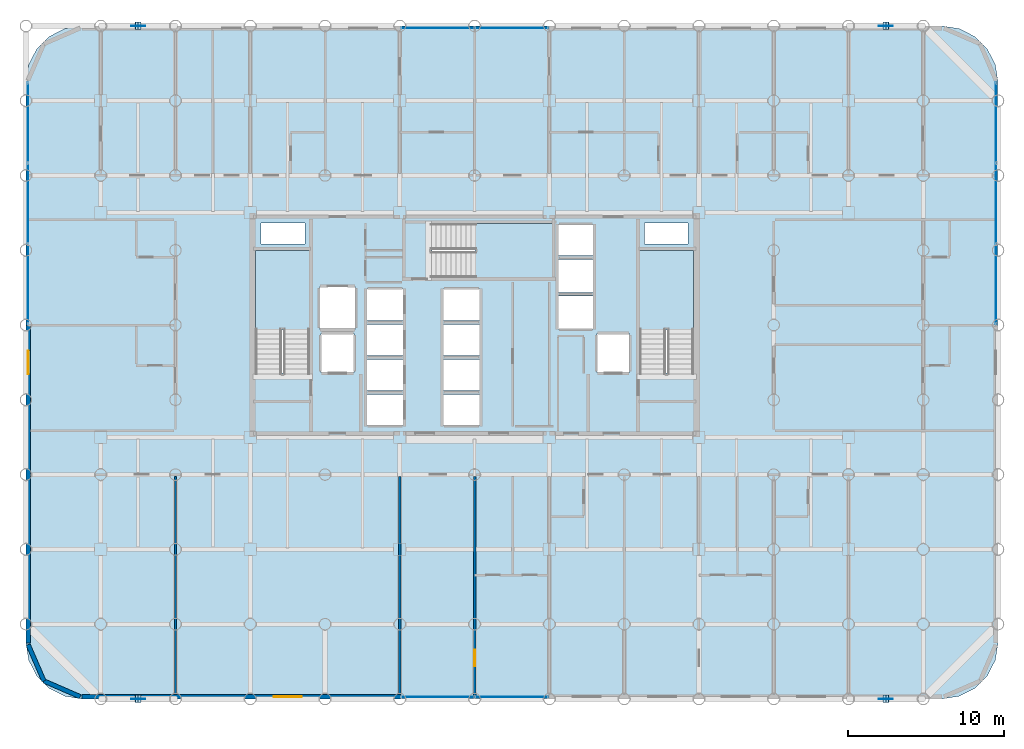
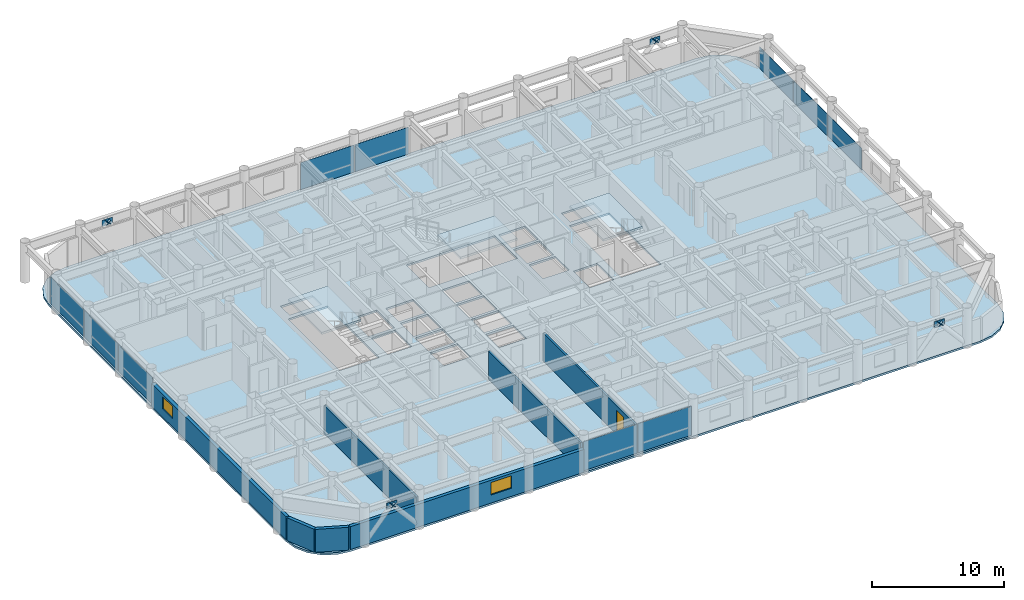
# One storey, part 14 of 20: 22 plates, 7 walls, 4 slabs, 2 windows, 1 door, 3 openings, 7 elements without a shape of their own.
"""IFC4 building model written with IfcOpenShell, lengths in metres."""

from ifc_helpers import new_model, si_unit, direction, frame, frame_2d, origin, origin_2d, place, context, subcontext, project, spatial, polyline, rectangle, outline, extrude, material, layer, layer_set, type_object, element, fill, aggregate, save


model = new_model("IFC4")

# Units and contexts
model_context = context("Model", 3, precision=1e-05, world=origin(), true_north=direction((0.0, 1.0)))
body_context = subcontext(model_context, "Body", "Model", "MODEL_VIEW")
ifc_project = project(units=[si_unit("LENGTHUNIT", "METRE"), si_unit("AREAUNIT", "SQUARE_METRE"), si_unit("VOLUMEUNIT", "CUBIC_METRE"), si_unit("PLANEANGLEUNIT", "RADIAN"), si_unit("MASSUNIT", "GRAM", prefix="KILO")], contexts=[model_context])

# Site, building, storey
site_placement = place(None, origin())
site = spatial("IfcSite", under=ifc_project, at=site_placement, CompositionType="ELEMENT")
building_placement = place(site_placement, origin())
building = spatial("IfcBuilding", under=site, at=building_placement, Name="Kallvorn Hotel Tower", CompositionType="ELEMENT")
storey_placement = place(building_placement, frame((0.0, 0.0, 70.699951171875)))
storey = spatial("IfcBuildingStorey", under=building, at=storey_placement, Name="L16", CompositionType="ELEMENT", Elevation=70.699951171875)

# Curtain wall, plates
ifc_material_1 = material(Name="Thermally broken black-anodised aluminium AA 6063-T6", Category="aluminium")
ifc_layer_1 = layer(ifc_material_1, 0.199951171875)
ifc_layer_set_1 = layer_set([ifc_layer_1], Name="CW_SYS_3_HOTEL_LOW")
curtain_wall_type = type_object("IfcCurtainWallType", Name="CW_SYS_3_HOTEL_LOW", PredefinedType="USERDEFINED", material=ifc_layer_set_1)
curtain_wall_1_placement = place(storey_placement, origin())
curtain_wall_1 = element("IfcCurtainWall", 1, at=curtain_wall_1_placement, inside=storey, type_object=curtain_wall_type, Name="L16 Dark-Glass Curtain Wall CW-L16-SC", ObjectType="UNITISED CURTAIN WALL", PredefinedType="USERDEFINED")
ifc_material_2 = material(Name="Double-glazed low-e solar-control dark glass", Category="glass")
ifc_layer_2 = layer(ifc_material_2, 0.035888671875)
ifc_layer_set_2 = layer_set([ifc_layer_2], Name="CW_SYS_3_HOTEL_LOW_PANEL")
plate_type_1 = type_object("IfcPlateType", Name="CW_SYS_3_HOTEL_LOW_PANEL", PredefinedType="CURTAIN_PANEL", material=ifc_layer_set_2)
plate_1_placement = place(storey_placement, frame((-2.375, -23.8798828125, 0.06005859375), z_axis=(0.0, 0.0, 1.0), x_axis=(1.0, 0.0, 0.0)))
plate_1 = element("IfcPlate", 2, at=plate_1_placement, type_object=plate_type_1, Name="CW-L16-SC Vision Glass Panel 00", PredefinedType="CURTAIN_PANEL", context=body_context, shape_type="SweptSolid", body=[
    extrude(rectangle(XDim=4.68994140625, YDim=0.035888671875, at=origin_2d()), origin(), (0.0, 0.0, 1.0), 2.699951171875),
])
plate_2_placement = place(storey_placement, frame((2.375, -23.8798828125, 0.06005859375), z_axis=(0.0, 0.0, 1.0), x_axis=(1.0, 0.0, 0.0)))
plate_2 = element("IfcPlate", 3, at=plate_2_placement, type_object=plate_type_1, Name="CW-L16-SC Vision Glass Panel 01", PredefinedType="CURTAIN_PANEL", context=body_context, shape_type="SweptSolid", body=[
    extrude(rectangle(XDim=4.68994140625, YDim=0.035888671875, at=origin_2d()), origin(), (0.0, 0.0, 1.0), 2.699951171875),
])
aggregate(curtain_wall_1, [plate_1, plate_2])

curtain_wall_2_placement = place(storey_placement, origin())
curtain_wall_2 = element("IfcCurtainWall", 4, at=curtain_wall_2_placement, inside=storey, type_object=curtain_wall_type, Name="L16 Dark-Glass Curtain Wall CW-L16-NC", ObjectType="UNITISED CURTAIN WALL", PredefinedType="USERDEFINED")
plate_3_placement = place(storey_placement, frame((-2.375, 19.080078125, 0.06005859375), z_axis=(0.0, 0.0, 1.0), x_axis=(1.0, 0.0, 0.0)))
plate_3 = element("IfcPlate", 5, at=plate_3_placement, type_object=plate_type_1, Name="CW-L16-NC Vision Glass Panel 00", PredefinedType="CURTAIN_PANEL", context=body_context, shape_type="SweptSolid", body=[
    extrude(rectangle(XDim=4.68994140625, YDim=0.035888671875, at=origin_2d()), origin(), (0.0, 0.0, 1.0), 2.5),
])
plate_4_placement = place(storey_placement, frame((2.375, 19.080078125, 0.06005859375), z_axis=(0.0, 0.0, 1.0), x_axis=(1.0, 0.0, 0.0)))
plate_4 = element("IfcPlate", 6, at=plate_4_placement, type_object=plate_type_1, Name="CW-L16-NC Vision Glass Panel 01", PredefinedType="CURTAIN_PANEL", context=body_context, shape_type="SweptSolid", body=[
    extrude(rectangle(XDim=4.68994140625, YDim=0.035888671875, at=origin_2d()), origin(), (0.0, 0.0, 1.0), 2.5),
])
aggregate(curtain_wall_2, [plate_3, plate_4])

curtain_wall_3_placement = place(storey_placement, origin())
curtain_wall_3 = element("IfcCurtainWall", 7, at=curtain_wall_3_placement, inside=storey, type_object=curtain_wall_type, Name="L16 Dark-Glass Curtain Wall CW-L16-WN", ObjectType="UNITISED CURTAIN WALL", PredefinedType="USERDEFINED")
plate_5_placement = place(storey_placement, frame((-28.679931640625, 2.61669921875, 0.06005859375), z_axis=(0.0, 0.0, 1.0), x_axis=(0.0, 1.0, 0.0)))
plate_5 = element("IfcPlate", 8, at=plate_5_placement, type_object=plate_type_1, Name="CW-L16-WN Vision Glass Panel 00", PredefinedType="CURTAIN_PANEL", context=body_context, shape_type="SweptSolid", body=[
    extrude(rectangle(XDim=5.13330078125, YDim=0.035888671875, at=origin_2d()), origin(), (0.0, 0.0, 1.0), 2.5),
])
plate_6_placement = place(storey_placement, frame((-28.679931640625, 7.81005859375, 0.06005859375), z_axis=(0.0, 0.0, 1.0), x_axis=(0.0, 1.0, 0.0)))
plate_6 = element("IfcPlate", 9, at=plate_6_placement, type_object=plate_type_1, Name="CW-L16-WN Vision Glass Panel 01", PredefinedType="CURTAIN_PANEL", context=body_context, shape_type="SweptSolid", body=[
    extrude(rectangle(XDim=5.13330078125, YDim=0.035888671875, at=origin_2d()), origin(), (0.0, 0.0, 1.0), 2.5),
])
plate_7_placement = place(storey_placement, frame((-28.679931640625, 13.00341796875, 0.06005859375), z_axis=(0.0, 0.0, 1.0), x_axis=(0.0, 1.0, 0.0)))
plate_7 = element("IfcPlate", 10, at=plate_7_placement, type_object=plate_type_1, Name="CW-L16-WN Vision Glass Panel 02", PredefinedType="CURTAIN_PANEL", context=body_context, shape_type="SweptSolid", body=[
    extrude(rectangle(XDim=5.13330078125, YDim=0.035888671875, at=origin_2d()), origin(), (0.0, 0.0, 1.0), 2.5),
])
aggregate(curtain_wall_3, [plate_5, plate_6, plate_7])

curtain_wall_4_placement = place(storey_placement, origin())
curtain_wall_4 = element("IfcCurtainWall", 11, at=curtain_wall_4_placement, inside=storey, type_object=curtain_wall_type, Name="L16 Dark-Glass Curtain Wall CW-L16-EN", ObjectType="UNITISED CURTAIN WALL", PredefinedType="USERDEFINED")
plate_8_placement = place(storey_placement, frame((33.47998046875, 2.61669921875, 0.06005859375), z_axis=(0.0, 0.0, 1.0), x_axis=(0.0, 1.0, 0.0)))
plate_8 = element("IfcPlate", 12, at=plate_8_placement, type_object=plate_type_1, Name="CW-L16-EN Vision Glass Panel 00", PredefinedType="CURTAIN_PANEL", context=body_context, shape_type="SweptSolid", body=[
    extrude(rectangle(XDim=5.13330078125, YDim=0.035888671875, at=origin_2d()), origin(), (0.0, 0.0, 1.0), 2.0),
])
plate_9_placement = place(storey_placement, frame((33.47998046875, 7.81005859375, 0.06005859375), z_axis=(0.0, 0.0, 1.0), x_axis=(0.0, 1.0, 0.0)))
plate_9 = element("IfcPlate", 13, at=plate_9_placement, type_object=plate_type_1, Name="CW-L16-EN Vision Glass Panel 01", PredefinedType="CURTAIN_PANEL", context=body_context, shape_type="SweptSolid", body=[
    extrude(rectangle(XDim=5.13330078125, YDim=0.035888671875, at=origin_2d()), origin(), (0.0, 0.0, 1.0), 2.0),
])
plate_10_placement = place(storey_placement, frame((33.47998046875, 13.00341796875, 0.06005859375), z_axis=(0.0, 0.0, 1.0), x_axis=(0.0, 1.0, 0.0)))
plate_10 = element("IfcPlate", 14, at=plate_10_placement, type_object=plate_type_1, Name="CW-L16-EN Vision Glass Panel 02", PredefinedType="CURTAIN_PANEL", context=body_context, shape_type="SweptSolid", body=[
    extrude(rectangle(XDim=5.13330078125, YDim=0.035888671875, at=origin_2d()), origin(), (0.0, 0.0, 1.0), 2.0),
])
aggregate(curtain_wall_4, [plate_8, plate_9, plate_10])

# Plates
ifc_material_3 = material(Name="Structural steel S355JR", Category="steel")
ifc_layer_3 = layer(ifc_material_3, 0.030029296875)
ifc_layer_set_3 = layer_set([ifc_layer_3], Name="PLT_CAP_30")
plate_type_2 = type_object("IfcPlateType", Name="PLT_CAP_30", PredefinedType="SHEET", material=ifc_layer_set_3)
for number, where, z_axis, x_axis, name in (
    (15, (-21.409423828125, -24.2431640625, 2.808837890625), (0.653227612507, 0.0, 0.75716159851), (0.0, 1.0, 0.0), "EXO-L16-S1A End Cap Plate B"),
    (16, (-21.79052734375, -23.7568359375, 2.808837890625), (-0.653227612507, 0.0, 0.75716159851), (0.0, -1.0, 0.0), "EXO-L16-S1B End Cap Plate B"),
    (17, (26.590576171875, -24.2431640625, 2.808837890625), (0.653227612507, 0.0, 0.75716159851), (0.0, 1.0, 0.0), "EXO-L16-S2A End Cap Plate B"),
    (18, (26.20947265625, -23.7568359375, 2.808837890625), (-0.653227612507, 0.0, 0.75716159851), (0.0, -1.0, 0.0), "EXO-L16-S2B End Cap Plate B"),
    (19, (-21.409423828125, 18.956787109375, 2.808837890625), (0.653227612507, 0.0, 0.75716159851), (0.0, 1.0, 0.0), "EXO-L16-N1A End Cap Plate B"),
    (20, (-21.79052734375, 19.443115234375, 2.808837890625), (-0.653227612507, 0.0, 0.75716159851), (0.0, -1.0, 0.0), "EXO-L16-N1B End Cap Plate B"),
    (21, (26.590576171875, 18.956787109375, 2.808837890625), (0.653227612507, 0.0, 0.75716159851), (0.0, 1.0, 0.0), "EXO-L16-N2A End Cap Plate B"),
    (22, (26.20947265625, 19.443115234375, 2.808837890625), (-0.653227612507, 0.0, 0.75716159851), (0.0, -1.0, 0.0), "EXO-L16-N2B End Cap Plate B"),
):
    element("IfcPlate", number, at=place(storey_placement, frame(where, z_axis=z_axis, x_axis=x_axis)), inside=storey, type_object=plate_type_2, Name=name, PredefinedType="SHEET", context=body_context, shape_type="SweptSolid", body=[
        extrude(outline(polyline([(0.0, 0.0), (0.486328125, 0.0), (0.486328125, 0.4862423863341974), (0.0, 0.4862423863341974), (0.0, 0.0)])), origin(), (0.0, 0.0, -1.0), 0.030029296875),
    ])
ifc_material_4 = material(Name="Structural steel S355JR", Category="steel")
ifc_layer_4 = layer(ifc_material_4, 0.044921875)
ifc_layer_set_4 = layer_set([ifc_layer_4], Name="PLT_GUSSET_45")
plate_type_3 = type_object("IfcPlateType", Name="PLT_GUSSET_45", PredefinedType="USERDEFINED", material=ifc_layer_set_4)
for number, where, z_axis, x_axis, name in (
    (23, (-21.60009765625, -24.0, 2.64013671875), (0.0, 0.0, 1.0), (1.0, 0.0, 0.0), "L16 Exoskeleton Node Gusset S1"),
    (24, (26.39990234375, -24.0, 2.64013671875), (0.0, 0.0, 1.0), (1.0, 0.0, 0.0), "L16 Exoskeleton Node Gusset S2"),
    (25, (-21.60009765625, 19.199951171875, 2.64013671875), (0.0, 0.0, 1.0), (1.0, 0.0, 0.0), "L16 Exoskeleton Node Gusset N1"),
    (26, (26.39990234375, 19.199951171875, 2.64013671875), (0.0, 0.0, 1.0), (1.0, 0.0, 0.0), "L16 Exoskeleton Node Gusset N2"),
):
    element("IfcPlate", number, at=place(storey_placement, frame(where, z_axis=z_axis, x_axis=x_axis)), inside=storey, type_object=plate_type_3, Name=name, ObjectType="GUSSET PLATE", PredefinedType="USERDEFINED", context=body_context, shape_type="SweptSolid", body=[
        extrude(rectangle(XDim=0.89990234375, YDim=0.044921875, at=origin_2d()), origin(), (0.0, 0.0, 1.0), 0.56005859375),
    ])

# Stair, slab
ifc_material_5 = material(Name="Precast concrete C40/50", Category="concrete")
stair_type = type_object("IfcStairType", Name="STR_CORE_DOGLEG", PredefinedType="HALF_TURN_STAIR", material=ifc_material_5)
stair_1_placement = place(storey_placement, origin())
stair_1 = element("IfcStair", 27, at=stair_1_placement, inside=storey, type_object=stair_type, Name="L16 Exit stair ST1", PredefinedType="HALF_TURN_STAIR")
ifc_material_6 = material(Name="Precast concrete C40/50", Category="concrete")
ifc_layer_5 = layer(ifc_material_6, 0.179931640625)
ifc_layer_set_5 = layer_set([ifc_layer_5], Name="SLB_LANDING_180")
slab_type_1 = type_object("IfcSlabType", Name="SLB_LANDING_180", PredefinedType="LANDING", material=ifc_layer_set_5)
slab_1_placement = place(storey_placement, frame((0.0, 0.0, 1.650146484375)))
slab_1 = element("IfcSlab", 28, at=slab_1_placement, type_object=slab_type_1, Name="ST1 landing 1", PredefinedType="LANDING", context=body_context, shape_type="SweptSolid", body=[
    extrude(outline(polyline([(-10.60009765625, -0.31005859375), (-10.60009765625, 4.800048828125), (-14.06005859375, 4.800048828125), (-14.06005859375, -0.31005859375), (-10.60009765625, -0.31005859375)])), origin(), (0.0, 0.0, 1.0), 0.199951171875),
])
aggregate(stair_1, [slab_1])

stair_2_placement = place(storey_placement, origin())
stair_2 = element("IfcStair", 29, at=stair_2_placement, inside=storey, type_object=stair_type, Name="L16 Exit stair ST2", PredefinedType="HALF_TURN_STAIR")
slab_2_placement = place(storey_placement, frame((0.0, 0.0, 1.650146484375)))
slab_2 = element("IfcSlab", 30, at=slab_2_placement, type_object=slab_type_1, Name="ST2 landing 1", PredefinedType="LANDING", context=body_context, shape_type="SweptSolid", body=[
    extrude(outline(polyline([(14.06005859375, -0.31005859375), (14.06005859375, 4.800048828125), (10.60009765625, 4.800048828125), (10.60009765625, -0.31005859375), (14.06005859375, -0.31005859375)])), origin(), (0.0, 0.0, 1.0), 0.199951171875),
])
aggregate(stair_2, [slab_2])

stair_3_placement = place(storey_placement, origin())
stair_3 = element("IfcStair", 31, at=stair_3_placement, inside=storey, type_object=stair_type, Name="L16 Exit stair ST3", PredefinedType="HALF_TURN_STAIR")
slab_3_placement = place(storey_placement, frame((0.0, 0.0, 1.650146484375)))
slab_3 = element("IfcSlab", 32, at=slab_3_placement, type_object=slab_type_1, Name="ST3 landing 1", PredefinedType="LANDING", context=body_context, shape_type="SweptSolid", body=[
    extrude(outline(polyline([(0.0400390625, 3.050048828125), (5.050048828125, 3.050048828125), (5.050048828125, 6.510009765625), (0.0400390625, 6.510009765625), (0.0400390625, 3.050048828125)])), origin(), (0.0, 0.0, 1.0), 0.199951171875),
])
aggregate(stair_3, [slab_3])

# Slab
ifc_material_7 = material(Name="Concrete C40/50", Category="concrete")
ifc_layer_6 = layer(ifc_material_7, 0.179931640625)
ifc_layer_set_6 = layer_set([ifc_layer_6], Name="SLB_TOWER_180")
slab_type_2 = type_object("IfcSlabType", Name="SLB_TOWER_180", PredefinedType="FLOOR", material=ifc_layer_set_6)
slab_4_placement = place(storey_placement, frame((0.0, 0.0, -0.179931640625)))
element("IfcSlab", 33, at=slab_4_placement, inside=storey, type_object=slab_type_2, Name="L16 Structural Floor Slab", PredefinedType="FLOOR", context=body_context, shape_type="SweptSolid", body=[
    extrude(outline(polyline([(30.0, -24.0), (31.112548828125, -23.82373046875), (32.115966796875, -23.3125), (32.91259765625, -22.51611328125), (33.423828125, -21.512451171875), (33.60009765625, -20.39990234375), (33.60009765625, 15.60009765625), (33.423828125, 16.71240234375), (32.91259765625, 17.716064453125), (32.115966796875, 18.512451171875), (31.112548828125, 19.023681640625), (30.0, 19.199951171875), (-25.199951171875, 19.199951171875), (-26.3125, 19.023681640625), (-27.31591796875, 18.512451171875), (-28.112548828125, 17.716064453125), (-28.623779296875, 16.71240234375), (-28.800048828125, 15.60009765625), (-28.800048828125, -20.39990234375), (-28.623779296875, -21.512451171875), (-28.112548828125, -22.51611328125), (-27.31591796875, -23.3125), (-26.3125, -23.82373046875), (-25.199951171875, -24.0), (30.0, -24.0)]), holes=[polyline([(-10.60009765625, -3.070068359375), (-10.60009765625, 4.800048828125), (-14.06005859375, 4.800048828125), (-14.06005859375, -3.070068359375), (-10.60009765625, -3.070068359375)]), polyline([(14.06005859375, -3.070068359375), (14.06005859375, 4.800048828125), (10.60009765625, 4.800048828125), (10.60009765625, -3.070068359375), (14.06005859375, -3.070068359375)]), polyline([(-2.719970703125, 3.050048828125), (5.050048828125, 3.050048828125), (5.050048828125, 6.510009765625), (-2.719970703125, 6.510009765625), (-2.719970703125, 3.050048828125)]), polyline([(-6.949951171875, -6.449951171875), (-4.550048828125, -6.449951171875), (-4.550048828125, -4.449951171875), (-6.949951171875, -4.449951171875), (-6.949951171875, -6.449951171875)]), polyline([(-6.949951171875, -4.199951171875), (-4.550048828125, -4.199951171875), (-4.550048828125, -2.199951171875), (-6.949951171875, -2.199951171875), (-6.949951171875, -4.199951171875)]), polyline([(-6.949951171875, -1.949951171875), (-4.550048828125, -1.949951171875), (-4.550048828125, 0.050048828125), (-6.949951171875, 0.050048828125), (-6.949951171875, -1.949951171875)]), polyline([(-6.949951171875, 0.300048828125), (-4.550048828125, 0.300048828125), (-4.550048828125, 2.300048828125), (-6.949951171875, 2.300048828125), (-6.949951171875, 0.300048828125)]), polyline([(-2.050048828125, -6.449951171875), (0.35009765625, -6.449951171875), (0.35009765625, -4.449951171875), (-2.050048828125, -4.449951171875), (-2.050048828125, -6.449951171875)]), polyline([(-2.050048828125, -4.199951171875), (0.35009765625, -4.199951171875), (0.35009765625, -2.199951171875), (-2.050048828125, -2.199951171875), (-2.050048828125, -4.199951171875)]), polyline([(-2.050048828125, -1.949951171875), (0.35009765625, -1.949951171875), (0.35009765625, 0.050048828125), (-2.050048828125, 0.050048828125), (-2.050048828125, -1.949951171875)]), polyline([(-2.050048828125, 0.300048828125), (0.35009765625, 0.300048828125), (0.35009765625, 2.300048828125), (-2.050048828125, 2.300048828125), (-2.050048828125, 0.300048828125)]), polyline([(5.35009765625, -0.25), (7.64990234375, -0.25), (7.64990234375, 1.85009765625), (5.35009765625, 1.85009765625), (5.35009765625, -0.25)]), polyline([(5.35009765625, 2.10009765625), (7.64990234375, 2.10009765625), (7.64990234375, 4.199951171875), (5.35009765625, 4.199951171875), (5.35009765625, 2.10009765625)]), polyline([(5.35009765625, 4.449951171875), (7.64990234375, 4.449951171875), (7.64990234375, 6.449951171875), (5.35009765625, 6.449951171875), (5.35009765625, 4.449951171875)]), polyline([(-9.85009765625, -3.050048828125), (-7.75, -3.050048828125), (-7.75, -0.550048828125), (-9.85009765625, -0.550048828125), (-9.85009765625, -3.050048828125)]), polyline([(7.85009765625, -3.050048828125), (9.949951171875, -3.050048828125), (9.949951171875, -0.550048828125), (7.85009765625, -0.550048828125), (7.85009765625, -3.050048828125)]), polyline([(-9.949951171875, -0.25), (-7.64990234375, -0.25), (-7.64990234375, 2.449951171875), (-9.949951171875, 2.449951171875), (-9.949951171875, -0.25)]), polyline([(-13.699951171875, 5.199951171875), (-10.89990234375, 5.199951171875), (-10.89990234375, 6.550048828125), (-13.699951171875, 6.550048828125), (-13.699951171875, 5.199951171875)]), polyline([(10.89990234375, 5.199951171875), (13.699951171875, 5.199951171875), (13.699951171875, 6.550048828125), (10.89990234375, 6.550048828125), (10.89990234375, 5.199951171875)])]), origin(), (0.0, 0.0, 1.0), 0.179931640625),
])

# Wall
ifc_material_8 = material(Name="Fire-rated double-layer acoustic gypsum drywall EI 60")
ifc_layer_7 = layer(ifc_material_8, 0.159912109375)
ifc_layer_set_7 = layer_set([ifc_layer_7], Name="WL_DEMISE_160")
wall_type_1 = type_object("IfcWallType", Name="WL_DEMISE_160", PredefinedType="PARTITIONING", material=ifc_layer_set_7)
wall_1_placement = place(storey_placement, frame((-4.800048828125, -23.7099609375, 0.0), z_axis=(0.0, 0.0, 1.0), x_axis=(0.0, 1.0, 0.0)))
element("IfcWall", 34, at=wall_1_placement, inside=storey, type_object=wall_type_1, Name="L16 Suite 1605 Executive Living Salon Partition", PredefinedType="PARTITIONING", context=body_context, shape_type="SweptSolid", body=[
    extrude(rectangle(XDim=13.989990234375, YDim=0.159912109375, at=frame_2d((6.9951171875, 0.0))), origin(), (0.0, 0.0, 1.0), 2.6201171875),
])

# Wall, opening, door
wall_2_placement = place(storey_placement, frame((0.0, -23.794921875, 0.0), z_axis=(0.0, 0.0, 1.0), x_axis=(0.0, 1.0, 0.0)))
wall_2 = element("IfcWall", 35, at=wall_2_placement, inside=storey, type_object=wall_type_1, Name="L16 Suite 1605 Executive Bedroom Partition", PredefinedType="PARTITIONING", context=body_context, shape_type="SweptSolid", body=[
    extrude(rectangle(XDim=14.074951171875, YDim=0.159912109375, at=frame_2d((7.03759765625, 0.0))), origin(), (0.0, 0.0, 1.0), 2.6201171875),
])
opening_1_placement = place(wall_2_placement, frame((1.88818359375, 0.0, 0.0)))
opening_1 = element("IfcOpeningElement", 36, at=opening_1_placement, cuts=wall_2, Name="Opening GD2", PredefinedType="OPENING", context=body_context, shape_type="SweptSolid", body=[
    extrude(rectangle(XDim=1.050048828125, YDim=2.199951171875, at=frame_2d((0.52490234375, 1.10009765625))), frame((0.0, 0.094970703125, 0.0), z_axis=(0.0, -1.0, 0.0), x_axis=(1.0, 0.0, 0.0)), (0.0, 0.0, 1.0), 0.18994140625),
])
ifc_material_9 = material(Name="Solid-core walnut veneer fire-rated timber door leaf", Category="wood")
door_type = type_object("IfcDoorType", Name="DR_SUITE_1050x2200", OperationType="NOTDEFINED", PredefinedType="DOOR", material=ifc_material_9)
door_placement = place(opening_1_placement, origin())
door = element("IfcDoor", 37, at=door_placement, inside=storey, type_object=door_type, Name="L16 Suite 1605 Executive Bedroom Door", OperationType="SINGLE_SWING_LEFT", OverallHeight=2.199951171875, OverallWidth=1.050048828125, PredefinedType="DOOR", context=body_context, shape_type="SweptSolid", body=[
    extrude(rectangle(XDim=1.050048828125, YDim=2.199951171875, at=frame_2d((0.52490234375, 1.10009765625))), frame((0.0, 0.02490234375, 0.0), z_axis=(0.0, -1.0, 0.0), x_axis=(1.0, 0.0, 0.0)), (0.0, 0.0, 1.0), 0.050048828125),
])
fill(opening_1, door)

# Walls
ifc_material_10 = material(Name="Precast basalt-clad insulated concrete wall C40/50", Category="masonry")
ifc_layer_8 = layer(ifc_material_10, 0.280029296875)
ifc_layer_set_8 = layer_set([ifc_layer_8], Name="WL_EXT_LOGGIA_280")
wall_type_2 = type_object("IfcWallType", Name="WL_EXT_LOGGIA_280", PredefinedType="SOLIDWALL", material=ifc_layer_set_8)
wall_3_placement = place(storey_placement, frame((-28.657958984375, -20.520751953125, 0.0), z_axis=(0.0, 0.0, 1.0), x_axis=(0.398792985289, -0.917040977756, 0.0)))
element("IfcWall", 38, at=wall_3_placement, inside=storey, type_object=wall_type_2, Name="L16 Rounded Corner Exterior Wall SW1", PredefinedType="SOLIDWALL", context=body_context, shape_type="SweptSolid", body=[
    extrude(rectangle(XDim=2.536376953125, YDim=0.280029296875, at=frame_2d((1.26806640625, 0.0))), origin(), (0.0, 0.0, 1.0), 2.1201171875),
])
wall_4_placement = place(storey_placement, frame((-27.646484375, -22.8466796875, 0.0), z_axis=(0.0, 0.0, 1.0), x_axis=(0.917060872934, -0.398747232384, 0.0)))
element("IfcWall", 39, at=wall_4_placement, inside=storey, type_object=wall_type_2, Name="L16 Rounded Corner Exterior Wall SW2", PredefinedType="SOLIDWALL", context=body_context, shape_type="SweptSolid", body=[
    extrude(rectangle(XDim=2.5361328125, YDim=0.280029296875, at=frame_2d((1.26806640625, 0.0))), origin(), (0.0, 0.0, 1.0), 2.1201171875),
])

# Wall, opening, window
wall_5_placement = place(storey_placement, frame((-25.199951171875, -23.860107421875, 0.0), z_axis=(0.0, 0.0, 1.0), x_axis=(1.0, 0.0, 0.0)))
wall_5 = element("IfcWall", 40, at=wall_5_placement, inside=storey, type_object=wall_type_2, Name="L16 Exterior Envelope Wall EW-L16-SW", PredefinedType="SOLIDWALL", context=body_context, shape_type="SweptSolid", body=[
    extrude(rectangle(XDim=20.449951171875, YDim=0.280029296875, at=frame_2d((10.22509765625, 0.0))), origin(), (0.0, 0.0, 1.0), 2.1201171875),
])
opening_2_placement = place(wall_5_placement, frame((12.300048828125, 0.0, 0.75)))
opening_2 = element("IfcOpeningElement", 41, at=opening_2_placement, cuts=wall_5, Name="Opening W04A", PredefinedType="OPENING", context=body_context, shape_type="SweptSolid", body=[
    extrude(rectangle(XDim=1.800048828125, YDim=1.14990234375, at=frame_2d((0.89990234375, 0.574951171875))), frame((0.0, 0.155029296875, 0.0), z_axis=(0.0, -1.0, 0.0), x_axis=(1.0, 0.0, 0.0)), (0.0, 0.0, 1.0), 0.31005859375),
])
ifc_material_11 = material(Name="Double-glazed low-e solar-control dark glass", Category="glass")
window_type_1 = type_object("IfcWindowType", Name="WN_HTL_1800x1150", PartitioningType="SINGLE_PANEL", PredefinedType="WINDOW", material=ifc_material_11)
window_1_placement = place(opening_2_placement, origin())
window_1 = element("IfcWindow", 42, at=window_1_placement, inside=storey, type_object=window_type_1, Name="L16 Guestroom Exterior Window 03", OverallHeight=1.14990234375, OverallWidth=1.800048828125, PartitioningType="SINGLE_PANEL", PredefinedType="WINDOW", context=body_context, shape_type="SweptSolid", body=[
    extrude(rectangle(XDim=1.800048828125, YDim=1.14990234375, at=frame_2d((0.89990234375, 0.574951171875))), frame((0.0, 0.030029296875, 0.0), z_axis=(0.0, -1.0, 0.0), x_axis=(1.0, 0.0, 0.0)), (0.0, 0.0, 1.0), 0.06005859375),
])
fill(opening_2, window_1)

wall_6_placement = place(storey_placement, frame((-28.659912109375, -20.39990234375, 0.0), z_axis=(0.0, 0.0, 1.0), x_axis=(0.0, 1.0, 0.0)))
wall_6 = element("IfcWall", 43, at=wall_6_placement, inside=storey, type_object=wall_type_2, Name="L16 Exterior Envelope Wall EW-L16-WS", PredefinedType="SOLIDWALL", context=body_context, shape_type="SweptSolid", body=[
    extrude(rectangle(XDim=20.3798828125, YDim=0.280029296875, at=frame_2d((10.18994140625, 0.0))), origin(), (0.0, 0.0, 1.0), 2.1201171875),
])
opening_3_placement = place(wall_6_placement, frame((17.25, 0.0, 0.75)))
opening_3 = element("IfcOpeningElement", 44, at=opening_3_placement, cuts=wall_6, Name="Opening W05A", PredefinedType="OPENING", context=body_context, shape_type="SweptSolid", body=[
    extrude(rectangle(XDim=1.5, YDim=1.14990234375, at=frame_2d((0.75, 0.574951171875))), frame((0.0, 0.155029296875, 0.0), z_axis=(0.0, -1.0, 0.0), x_axis=(1.0, 0.0, 0.0)), (0.0, 0.0, 1.0), 0.31005859375),
])
ifc_material_12 = material(Name="Double-glazed low-e solar-control dark glass", Category="glass")
window_type_2 = type_object("IfcWindowType", Name="WN_HTL_1500x1150", PartitioningType="SINGLE_PANEL", PredefinedType="WINDOW", material=ifc_material_12)
window_2_placement = place(opening_3_placement, origin())
window_2 = element("IfcWindow", 45, at=window_2_placement, inside=storey, type_object=window_type_2, Name="L16 Flank Wing Window 01", OverallHeight=1.14990234375, OverallWidth=1.5, PartitioningType="SINGLE_PANEL", PredefinedType="WINDOW", context=body_context, shape_type="SweptSolid", body=[
    extrude(rectangle(XDim=1.5, YDim=1.14990234375, at=frame_2d((0.75, 0.574951171875))), frame((0.0, 0.030029296875, 0.0), z_axis=(0.0, -1.0, 0.0), x_axis=(1.0, 0.0, 0.0)), (0.0, 0.0, 1.0), 0.06005859375),
])
fill(opening_3, window_2)

# Wall
ifc_material_13 = material(Name="Fire-rated double-layer acoustic gypsum drywall EI 60")
ifc_layer_9 = layer(ifc_material_13, 0.14990234375)
ifc_layer_set_9 = layer_set([ifc_layer_9], Name="WL_PART_150")
wall_type_3 = type_object("IfcWallType", Name="WL_PART_150", PredefinedType="PARTITIONING", material=ifc_layer_set_9)
wall_7_placement = place(storey_placement, frame((-19.199951171875, -23.7099609375, 0.0), z_axis=(0.0, 0.0, 1.0), x_axis=(0.0, 1.0, 0.0)))
element("IfcWall", 46, at=wall_7_placement, inside=storey, type_object=wall_type_3, Name="L16 L16 Panoramic Club Sky Lounge 1 Partition", PredefinedType="PARTITIONING", context=body_context, shape_type="SweptSolid", body=[
    extrude(rectangle(XDim=13.989990234375, YDim=0.14990234375, at=frame_2d((6.9951171875, 0.0))), origin(), (0.0, 0.0, 1.0), 2.6201171875),
])

save(model, "model.ifc")
